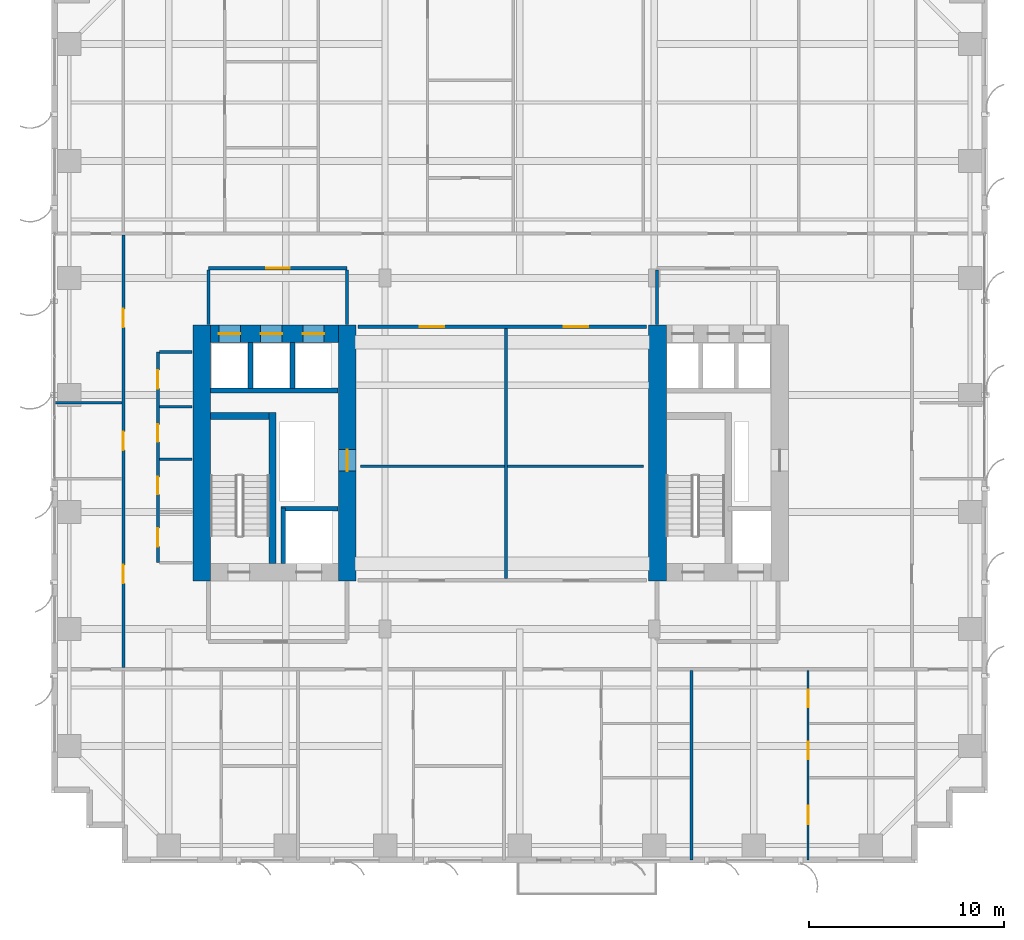
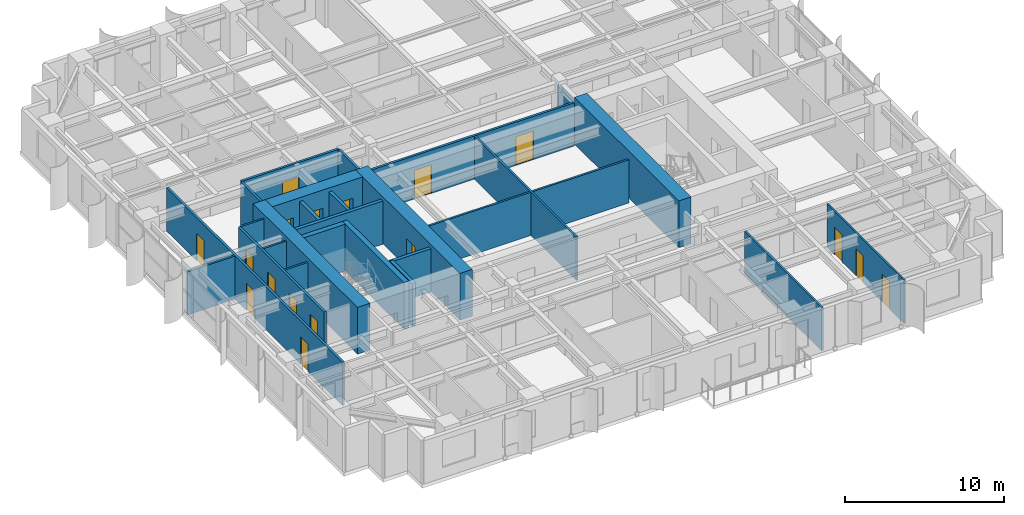
# One storey, part 10 of 17: 26 walls, 17 doors, 17 openings.
"""IFC4 building model written with IfcOpenShell, lengths in metres."""

from ifc_helpers import new_model, si_unit, direction, frame, frame_2d, origin, place, context, subcontext, project, spatial, rectangle, extrude, source, transform, mapped, material, layer, layer_set, type_object, element, fill, save


model = new_model("IFC4")

# Units and contexts
model_context = context("Model", 3, precision=1e-05, world=origin(), true_north=direction((0.0, 1.0)))
body_context = subcontext(model_context, "Body", "Model", "MODEL_VIEW")
ifc_project = project(units=[si_unit("LENGTHUNIT", "METRE"), si_unit("AREAUNIT", "SQUARE_METRE"), si_unit("VOLUMEUNIT", "CUBIC_METRE"), si_unit("PLANEANGLEUNIT", "RADIAN"), si_unit("MASSUNIT", "GRAM", prefix="KILO")], contexts=[model_context])

# Site, building, storey
site_placement = place(None, origin())
site = spatial("IfcSite", under=ifc_project, at=site_placement, CompositionType="ELEMENT")
building_placement = place(site_placement, origin())
building = spatial("IfcBuilding", under=site, at=building_placement, Name="Khoralis Quay Care Tower", CompositionType="ELEMENT")
storey_placement = place(building_placement, frame((0.0, 0.0, 58.5)))
storey = spatial("IfcBuildingStorey", under=building, at=storey_placement, Name="L15", CompositionType="ELEMENT", Elevation=58.5)

# Wall
ifc_material_1 = material(Name="Concrete C80/95", Category="concrete")
ifc_layer_1 = layer(ifc_material_1, 0.89990234375)
ifc_layer_set_1 = layer_set([ifc_layer_1], Name="Concrete C80/95")
wall_type_1 = type_object("IfcWallType", Name="WL-CORE-900", PredefinedType="SHEAR", material=ifc_layer_set_1)
wall_1_placement = place(storey_placement, frame((7.699951171875, 14.449951171875, 0.0), z_axis=(0.0, 0.0, 1.0), x_axis=(0.0, 1.0, 0.0)))
element("IfcWall", 1, at=wall_1_placement, inside=storey, type_object=wall_type_1, Name="L15 WCORE West Shear Wall", PredefinedType="SHEAR", context=body_context, shape_type="SweptSolid", body=[
    extrude(rectangle(XDim=13.150146484375, YDim=0.89990234375, at=frame_2d((6.5751953125, 0.0))), origin(), (0.0, 0.0, 1.0), 3.60009765625),
])

# Wall, opening, door
wall_2_placement = place(storey_placement, frame((15.14990234375, 14.449951171875, 0.0), z_axis=(0.0, 0.0, 1.0), x_axis=(0.0, 1.0, 0.0)))
wall_2 = element("IfcWall", 2, at=wall_2_placement, inside=storey, type_object=wall_type_1, Name="L15 WCORE East Shear Wall", PredefinedType="SHEAR", context=body_context, shape_type="SweptSolid", body=[
    extrude(rectangle(XDim=13.150146484375, YDim=0.89990234375, at=frame_2d((6.5751953125, 0.0))), origin(), (0.0, 0.0, 1.0), 3.60009765625),
])
opening_1_placement = place(wall_2_placement, frame((5.64990234375, 0.0, 0.0)))
opening_1 = element("IfcOpeningElement", 3, at=opening_1_placement, cuts=wall_2, Name="Opening SD1", PredefinedType="OPENING", context=body_context, shape_type="SweptSolid", body=[
    extrude(rectangle(XDim=1.10009765625, YDim=2.199951171875, at=frame_2d((0.550048828125, 1.10009765625))), frame((0.0, 0.4599609375, 0.0), z_axis=(0.0, -1.0, 0.0), x_axis=(1.0, 0.0, 0.0)), (0.0, 0.0, 1.0), 0.919921875),
])
ifc_material_2 = material(Name="Fire-rated painted steel", Category="steel")
door_type_1 = type_object("IfcDoorType", Name="DR-STAIR-1100X2200", OperationType="NOTDEFINED", PredefinedType="DOOR", material=ifc_material_2)
shared_shape_1 = source(origin(), body_context, "Body", "SweptSolid", [
    extrude(rectangle(XDim=1.10009765625, YDim=2.199951171875, at=frame_2d((0.550048828125, 1.10009765625))), frame((0.0, 0.02490234375, 0.0), z_axis=(0.0, -1.0, 0.0), x_axis=(1.0, 0.0, 0.0)), (0.0, 0.0, 1.0), 0.050048828125),
])
door_1_placement = place(opening_1_placement, origin())
door_1 = element("IfcDoor", 4, at=door_1_placement, inside=storey, type_object=door_type_1, Name="L15 West MEP Riser Door", OperationType="SINGLE_SWING_LEFT", OverallHeight=2.199951171875, OverallWidth=1.10009765625, PredefinedType="DOOR", context=body_context, shape_type="MappedRepresentation", body=[
    mapped(shared_shape_1, transform((0.0, 0.0, 0.0), scale=1.0)),
])
fill(opening_1, door_1)

# Wall, openings, doors
wall_3_placement = place(storey_placement, frame((8.14990234375, 27.14990234375, 0.0), z_axis=(0.0, 0.0, 1.0), x_axis=(1.0, 0.0, 0.0)))
wall_3 = element("IfcWall", 5, at=wall_3_placement, inside=storey, type_object=wall_type_1, Name="L15 WCORE North Shear Wall", PredefinedType="SHEAR", context=body_context, shape_type="SweptSolid", body=[
    extrude(rectangle(XDim=6.550048828125, YDim=0.89990234375, at=frame_2d((3.27490234375, 0.0))), origin(), (0.0, 0.0, 1.0), 3.60009765625),
])
opening_2_placement = place(wall_3_placement, frame((0.429931640625, 0.0, 0.0)))
opening_2 = element("IfcOpeningElement", 6, at=opening_2_placement, cuts=wall_3, Name="Opening LD1", PredefinedType="OPENING", context=body_context, shape_type="SweptSolid", body=[
    extrude(rectangle(XDim=1.10009765625, YDim=2.199951171875, at=frame_2d((0.550048828125, 1.10009765625))), frame((0.0, 0.4599609375, 0.0), z_axis=(0.0, -1.0, 0.0), x_axis=(1.0, 0.0, 0.0)), (0.0, 0.0, 1.0), 0.919921875),
])
opening_3_placement = place(wall_3_placement, frame((2.570068359375, 0.0, 0.0)))
opening_3 = element("IfcOpeningElement", 7, at=opening_3_placement, cuts=wall_3, Name="Opening LD1", PredefinedType="OPENING", context=body_context, shape_type="SweptSolid", body=[
    extrude(rectangle(XDim=1.10009765625, YDim=2.199951171875, at=frame_2d((0.550048828125, 1.10009765625))), frame((0.0, 0.4599609375, 0.0), z_axis=(0.0, -1.0, 0.0), x_axis=(1.0, 0.0, 0.0)), (0.0, 0.0, 1.0), 0.919921875),
])
opening_4_placement = place(wall_3_placement, frame((4.72998046875, 0.0, 0.0)))
opening_4 = element("IfcOpeningElement", 8, at=opening_4_placement, cuts=wall_3, Name="Opening LD1", PredefinedType="OPENING", context=body_context, shape_type="SweptSolid", body=[
    extrude(rectangle(XDim=1.10009765625, YDim=2.199951171875, at=frame_2d((0.550048828125, 1.10009765625))), frame((0.0, 0.4599609375, 0.0), z_axis=(0.0, -1.0, 0.0), x_axis=(1.0, 0.0, 0.0)), (0.0, 0.0, 1.0), 0.919921875),
])
ifc_material_3 = material(Name="Brushed stainless steel", Category="steel")
door_type_2 = type_object("IfcDoorType", Name="DR-LIFT-1100X2200", OperationType="SLIDING_TO_LEFT", PredefinedType="DOOR", material=ifc_material_3)
shared_shape_2 = source(origin(), body_context, "Body", "SweptSolid", [
    extrude(rectangle(XDim=1.10009765625, YDim=2.199951171875, at=frame_2d((0.550048828125, 1.10009765625))), frame((0.0, 0.02490234375, 0.0), z_axis=(0.0, -1.0, 0.0), x_axis=(1.0, 0.0, 0.0)), (0.0, 0.0, 1.0), 0.050048828125),
])
door_2_placement = place(opening_2_placement, origin())
door_2 = element("IfcDoor", 9, at=door_2_placement, inside=storey, type_object=door_type_2, Name="L15 Lift PLL1 Landing Door", OperationType="SLIDING_TO_LEFT", OverallHeight=2.199951171875, OverallWidth=1.10009765625, PredefinedType="DOOR", context=body_context, shape_type="MappedRepresentation", body=[
    mapped(shared_shape_2, transform((0.0, 0.0, 0.0), scale=1.0)),
])
fill(opening_2, door_2)
door_3_placement = place(opening_3_placement, origin())
door_3 = element("IfcDoor", 10, at=door_3_placement, inside=storey, type_object=door_type_2, Name="L15 Lift PLM1 Landing Door", OperationType="SLIDING_TO_LEFT", OverallHeight=2.199951171875, OverallWidth=1.10009765625, PredefinedType="DOOR", context=body_context, shape_type="MappedRepresentation", body=[
    mapped(shared_shape_2, transform((0.0, 0.0, 0.0), scale=1.0)),
])
fill(opening_3, door_3)
door_4_placement = place(opening_4_placement, origin())
door_4 = element("IfcDoor", 11, at=door_4_placement, inside=storey, type_object=door_type_2, Name="L15 Lift PLH1 Landing Door", OperationType="SLIDING_TO_LEFT", OverallHeight=2.199951171875, OverallWidth=1.10009765625, PredefinedType="DOOR", context=body_context, shape_type="MappedRepresentation", body=[
    mapped(shared_shape_2, transform((0.0, 0.0, 0.0), scale=1.0)),
])
fill(opening_4, door_4)

# Wall
wall_4_placement = place(storey_placement, frame((31.070068359375, 14.449951171875, 0.0), z_axis=(0.0, 0.0, 1.0), x_axis=(0.0, 1.0, 0.0)))
element("IfcWall", 12, at=wall_4_placement, inside=storey, type_object=wall_type_1, Name="L15 ECORE West Shear Wall", PredefinedType="SHEAR", context=body_context, shape_type="SweptSolid", body=[
    extrude(rectangle(XDim=13.150146484375, YDim=0.89990234375, at=frame_2d((6.5751953125, 0.0))), origin(), (0.0, 0.0, 1.0), 3.60009765625),
])

# Wall, opening, door
ifc_material_4 = material(Name="Gypsum plasterboard on acoustic metal stud")
ifc_layer_2 = layer(ifc_material_4, 0.1650390625)
ifc_layer_set_2 = layer_set([ifc_layer_2], Name="Gypsum plasterboard on acoustic metal stud")
wall_type_2 = type_object("IfcWallType", Name="WL-CORR-165", PredefinedType="PARTITIONING", material=ifc_layer_set_2)
wall_5_placement = place(storey_placement, frame((8.050048828125, 30.5, 0.0), z_axis=(0.0, 0.0, 1.0), x_axis=(1.0, 0.0, 0.0)))
wall_5 = element("IfcWall", 13, at=wall_5_placement, inside=storey, type_object=wall_type_2, Name="L15 West Lift Lobby North Wall", PredefinedType="PARTITIONING", context=body_context, shape_type="SweptSolid", body=[
    extrude(rectangle(XDim=7.099853515625, YDim=0.1650390625, at=frame_2d((3.5498046875, 0.0))), origin(), (0.0, 0.0, 1.0), 3.320068359375),
])
opening_5_placement = place(wall_5_placement, frame((2.949951171875, 0.0, 0.0)))
opening_5 = element("IfcOpeningElement", 14, at=opening_5_placement, cuts=wall_5, Name="Opening FD1", PredefinedType="OPENING", context=body_context, shape_type="SweptSolid", body=[
    extrude(rectangle(XDim=1.199951171875, YDim=2.199951171875, at=frame_2d((0.60009765625, 1.10009765625))), frame((0.0, 0.092529296875, 0.0), z_axis=(0.0, -1.0, 0.0), x_axis=(1.0, 0.0, 0.0)), (0.0, 0.0, 1.0), 0.18505859375),
])
door_type_3 = type_object("IfcDoorType", Name="DR-FFL-1200X2200", OperationType="NOTDEFINED", PredefinedType="DOOR", material=ifc_material_2)
shared_shape_3 = source(origin(), body_context, "Body", "SweptSolid", [
    extrude(rectangle(XDim=1.199951171875, YDim=2.199951171875, at=frame_2d((0.60009765625, 1.10009765625))), frame((0.0, 0.02490234375, 0.0), z_axis=(0.0, -1.0, 0.0), x_axis=(1.0, 0.0, 0.0)), (0.0, 0.0, 1.0), 0.050048828125),
])
door_5_placement = place(opening_5_placement, origin())
door_5 = element("IfcDoor", 15, at=door_5_placement, inside=storey, type_object=door_type_3, Name="L15 West Lift Lobby Double Door", OperationType="DOUBLE_DOOR_SINGLE_SWING", OverallHeight=2.199951171875, OverallWidth=1.199951171875, PredefinedType="DOOR", context=body_context, shape_type="MappedRepresentation", body=[
    mapped(shared_shape_3, transform((0.0, 0.0, 0.0), scale=1.0)),
])
fill(opening_5, door_5)

# Walls
for number, where, z_axis, x_axis, name in (
    (16, (8.050048828125, 27.6201171875, 0.0), (0.0, 0.0, 1.0), (0.0, 1.0, 0.0), "L15 West Lift Lobby West Wall"),
    (17, (15.14990234375, 27.6201171875, 0.0), (0.0, 0.0, 1.0), (0.0, 1.0, 0.0), "L15 West Lift Lobby East Wall"),
):
    element("IfcWall", number, at=place(storey_placement, frame(where, z_axis=z_axis, x_axis=x_axis)), inside=storey, type_object=wall_type_2, Name=name, PredefinedType="PARTITIONING", context=body_context, shape_type="SweptSolid", body=[
        extrude(rectangle(XDim=2.802490234375, YDim=0.1650390625, at=frame_2d((1.4013671875, 0.0))), origin(), (0.0, 0.0, 1.0), 3.320068359375),
    ])
wall_6_placement = place(storey_placement, frame((31.050048828125, 27.6201171875, 0.0), z_axis=(0.0, 0.0, 1.0), x_axis=(0.0, 1.0, 0.0)))
element("IfcWall", 18, at=wall_6_placement, inside=storey, type_object=wall_type_2, Name="L15 East Lift Lobby West Wall", PredefinedType="PARTITIONING", context=body_context, shape_type="SweptSolid", body=[
    extrude(rectangle(XDim=2.802490234375, YDim=0.1650390625, at=frame_2d((1.4013671875, 0.0))), origin(), (0.0, 0.0, 1.0), 2.7041015625),
])

# Wall, openings, doors
wall_7_placement = place(storey_placement, frame((5.449951171875, 15.39990234375, 0.0), z_axis=(0.0, 0.0, 1.0), x_axis=(0.0, 1.0, 0.0)))
wall_7 = element("IfcWall", 19, at=wall_7_placement, inside=storey, type_object=wall_type_2, Name="L15 West Core Service Flank Wall", PredefinedType="PARTITIONING", context=body_context, shape_type="SweptSolid", body=[
    extrude(rectangle(XDim=10.800048828125, YDim=0.1650390625, at=frame_2d((5.39990234375, 0.0))), origin(), (0.0, 0.0, 1.0), 3.320068359375),
])
opening_6_placement = place(wall_7_placement, frame((0.824951171875, 0.0, 0.0)))
opening_6 = element("IfcOpeningElement", 20, at=opening_6_placement, cuts=wall_7, Name="Opening ID1", PredefinedType="OPENING", context=body_context, shape_type="SweptSolid", body=[
    extrude(rectangle(XDim=0.949951171875, YDim=2.10009765625, at=frame_2d((0.47509765625, 1.050048828125))), frame((0.0, 0.092529296875, 0.0), z_axis=(0.0, -1.0, 0.0), x_axis=(1.0, 0.0, 0.0)), (0.0, 0.0, 1.0), 0.18505859375),
])
opening_7_placement = place(wall_7_placement, frame((3.5, 0.0, 0.0)))
opening_7 = element("IfcOpeningElement", 21, at=opening_7_placement, cuts=wall_7, Name="Opening WD1", PredefinedType="OPENING", context=body_context, shape_type="SweptSolid", body=[
    extrude(rectangle(XDim=0.89990234375, YDim=2.10009765625, at=frame_2d((0.449951171875, 1.050048828125))), frame((0.0, 0.092529296875, 0.0), z_axis=(0.0, -1.0, 0.0), x_axis=(1.0, 0.0, 0.0)), (0.0, 0.0, 1.0), 0.18505859375),
])
opening_8_placement = place(wall_7_placement, frame((6.199951171875, 0.0, 0.0)))
opening_8 = element("IfcOpeningElement", 22, at=opening_8_placement, cuts=wall_7, Name="Opening WD1", PredefinedType="OPENING", context=body_context, shape_type="SweptSolid", body=[
    extrude(rectangle(XDim=0.89990234375, YDim=2.10009765625, at=frame_2d((0.449951171875, 1.050048828125))), frame((0.0, 0.092529296875, 0.0), z_axis=(0.0, -1.0, 0.0), x_axis=(1.0, 0.0, 0.0)), (0.0, 0.0, 1.0), 0.18505859375),
])
opening_9_placement = place(wall_7_placement, frame((8.925048828125, 0.0, 0.0)))
opening_9 = element("IfcOpeningElement", 23, at=opening_9_placement, cuts=wall_7, Name="Opening ID1", PredefinedType="OPENING", context=body_context, shape_type="SweptSolid", body=[
    extrude(rectangle(XDim=0.949951171875, YDim=2.10009765625, at=frame_2d((0.47509765625, 1.050048828125))), frame((0.0, 0.092529296875, 0.0), z_axis=(0.0, -1.0, 0.0), x_axis=(1.0, 0.0, 0.0)), (0.0, 0.0, 1.0), 0.18505859375),
])
ifc_material_5 = material(Name="Acoustic hardwood timber", Category="wood")
door_type_4 = type_object("IfcDoorType", Name="DR-BATH-900X2100", OperationType="NOTDEFINED", PredefinedType="DOOR", material=ifc_material_5)
shared_shape_4 = source(origin(), body_context, "Body", "SweptSolid", [
    extrude(rectangle(XDim=0.89990234375, YDim=2.10009765625, at=frame_2d((0.449951171875, 1.050048828125))), frame((0.0, 0.02490234375, 0.0), z_axis=(0.0, -1.0, 0.0), x_axis=(1.0, 0.0, 0.0)), (0.0, 0.0, 1.0), 0.050048828125),
])
door_6_placement = place(opening_7_placement, frame((0.89990234375, 0.0, 0.0), z_axis=(0.0, 0.0, 1.0), x_axis=(-1.0, 0.0, 0.0)))
door_6 = element("IfcDoor", 24, at=door_6_placement, inside=storey, type_object=door_type_4, Name="L15 Public Accessible WC Door", OperationType="SINGLE_SWING_LEFT", OverallHeight=2.10009765625, OverallWidth=0.89990234375, PredefinedType="DOOR", context=body_context, shape_type="MappedRepresentation", body=[
    mapped(shared_shape_4, transform((0.0, 0.0, 0.0), scale=1.0)),
])
fill(opening_7, door_6)
door_7_placement = place(opening_8_placement, frame((0.89990234375, 0.0, 0.0), z_axis=(0.0, 0.0, 1.0), x_axis=(-1.0, 0.0, 0.0)))
door_7 = element("IfcDoor", 25, at=door_7_placement, inside=storey, type_object=door_type_4, Name="L15 Staff Accessible WC Door", OperationType="SINGLE_SWING_RIGHT", OverallHeight=2.10009765625, OverallWidth=0.89990234375, PredefinedType="DOOR", context=body_context, shape_type="MappedRepresentation", body=[
    mapped(shared_shape_4, transform((0.0, 0.0, 0.0), scale=1.0)),
])
fill(opening_8, door_7)
door_type_5 = type_object("IfcDoorType", Name="DR-ROOM-950X2100", OperationType="NOTDEFINED", PredefinedType="DOOR", material=ifc_material_5)
shared_shape_5 = source(origin(), body_context, "Body", "SweptSolid", [
    extrude(rectangle(XDim=0.949951171875, YDim=2.10009765625, at=frame_2d((0.47509765625, 1.050048828125))), frame((0.0, 0.02490234375, 0.0), z_axis=(0.0, -1.0, 0.0), x_axis=(1.0, 0.0, 0.0)), (0.0, 0.0, 1.0), 0.050048828125),
])
door_8_placement = place(opening_6_placement, frame((0.949951171875, 0.0, 0.0), z_axis=(0.0, 0.0, 1.0), x_axis=(-1.0, 0.0, 0.0)))
door_8 = element("IfcDoor", 26, at=door_8_placement, inside=storey, type_object=door_type_5, Name="L15 Housekeeping Store Door", OperationType="SINGLE_SWING_RIGHT", OverallHeight=2.10009765625, OverallWidth=0.949951171875, PredefinedType="DOOR", context=body_context, shape_type="MappedRepresentation", body=[
    mapped(shared_shape_5, transform((0.0, 0.0, 0.0), scale=1.0)),
])
fill(opening_6, door_8)
door_9_placement = place(opening_9_placement, frame((0.949951171875, 0.0, 0.0), z_axis=(0.0, 0.0, 1.0), x_axis=(-1.0, 0.0, 0.0)))
door_9 = element("IfcDoor", 27, at=door_9_placement, inside=storey, type_object=door_type_5, Name="L15 Telecom IDF Room Door", OperationType="SINGLE_SWING_LEFT", OverallHeight=2.10009765625, OverallWidth=0.949951171875, PredefinedType="DOOR", context=body_context, shape_type="MappedRepresentation", body=[
    mapped(shared_shape_5, transform((0.0, 0.0, 0.0), scale=1.0)),
])
fill(opening_9, door_9)

wall_8_placement = place(storey_placement, frame((3.679931640625, 10.017578125, 0.0), z_axis=(0.0, 0.0, 1.0), x_axis=(0.0, 1.0, 0.0)))
wall_8 = element("IfcWall", 28, at=wall_8_placement, inside=storey, type_object=wall_type_2, Name="L15 West Loop Corridor Wall", PredefinedType="PARTITIONING", context=body_context, shape_type="SweptSolid", body=[
    extrude(rectangle(XDim=22.184814453125, YDim=0.1650390625, at=frame_2d((11.09228515625, 0.0))), origin(), (0.0, 0.0, 1.0), 3.320068359375),
])
opening_10_placement = place(wall_8_placement, frame((4.327392578125, 0.0, 0.0)))
opening_10 = element("IfcOpeningElement", 29, at=opening_10_placement, cuts=wall_8, Name="Opening ID1", PredefinedType="OPENING", context=body_context, shape_type="SweptSolid", body=[
    extrude(rectangle(XDim=0.949951171875, YDim=2.10009765625, at=frame_2d((0.47509765625, 1.050048828125))), frame((0.0, 0.092529296875, 0.0), z_axis=(0.0, -1.0, 0.0), x_axis=(1.0, 0.0, 0.0)), (0.0, 0.0, 1.0), 0.18505859375),
])
opening_11_placement = place(wall_8_placement, frame((11.157470703125, 0.0, 0.0)))
opening_11 = element("IfcOpeningElement", 30, at=opening_11_placement, cuts=wall_8, Name="Opening ID1", PredefinedType="OPENING", context=body_context, shape_type="SweptSolid", body=[
    extrude(rectangle(XDim=0.949951171875, YDim=2.10009765625, at=frame_2d((0.47509765625, 1.050048828125))), frame((0.0, 0.092529296875, 0.0), z_axis=(0.0, -1.0, 0.0), x_axis=(1.0, 0.0, 0.0)), (0.0, 0.0, 1.0), 0.18505859375),
])
opening_12_placement = place(wall_8_placement, frame((17.447509765625, 0.0, 0.0)))
opening_12 = element("IfcOpeningElement", 31, at=opening_12_placement, cuts=wall_8, Name="Opening ID1", PredefinedType="OPENING", context=body_context, shape_type="SweptSolid", body=[
    extrude(rectangle(XDim=0.949951171875, YDim=2.10009765625, at=frame_2d((0.47509765625, 1.050048828125))), frame((0.0, 0.092529296875, 0.0), z_axis=(0.0, -1.0, 0.0), x_axis=(1.0, 0.0, 0.0)), (0.0, 0.0, 1.0), 0.18505859375),
])
door_10_placement = place(opening_10_placement, origin())
door_10 = element("IfcDoor", 32, at=door_10_placement, inside=storey, type_object=door_type_5, Name="L15 Therapy Consultation Room Door", OperationType="SINGLE_SWING_LEFT", OverallHeight=2.10009765625, OverallWidth=0.949951171875, PredefinedType="DOOR", context=body_context, shape_type="MappedRepresentation", body=[
    mapped(shared_shape_5, transform((0.0, 0.0, 0.0), scale=1.0)),
])
fill(opening_10, door_10)
door_11_placement = place(opening_11_placement, origin())
door_11 = element("IfcDoor", 33, at=door_11_placement, inside=storey, type_object=door_type_5, Name="L15 Assisted Activity Lounge Door", OperationType="SINGLE_SWING_RIGHT", OverallHeight=2.10009765625, OverallWidth=0.949951171875, PredefinedType="DOOR", context=body_context, shape_type="MappedRepresentation", body=[
    mapped(shared_shape_5, transform((0.0, 0.0, 0.0), scale=1.0)),
])
fill(opening_11, door_11)
door_12_placement = place(opening_12_placement, origin())
door_12 = element("IfcDoor", 34, at=door_12_placement, inside=storey, type_object=door_type_5, Name="L15 Nurse Charting Office Door", OperationType="SINGLE_SWING_LEFT", OverallHeight=2.10009765625, OverallWidth=0.949951171875, PredefinedType="DOOR", context=body_context, shape_type="MappedRepresentation", body=[
    mapped(shared_shape_5, transform((0.0, 0.0, 0.0), scale=1.0)),
])
fill(opening_12, door_12)

wall_9_placement = place(storey_placement, frame((15.699951171875, 27.5, 0.0), z_axis=(0.0, 0.0, 1.0), x_axis=(1.0, 0.0, 0.0)))
wall_9 = element("IfcWall", 35, at=wall_9_placement, inside=storey, type_object=wall_type_2, Name="L15 Central Clinical North Wall", PredefinedType="PARTITIONING", context=body_context, shape_type="SweptSolid", body=[
    extrude(rectangle(XDim=14.800048828125, YDim=0.1650390625, at=frame_2d((7.39990234375, 0.0))), origin(), (0.0, 0.0, 1.0), 3.320068359375),
])
opening_13_placement = place(wall_9_placement, frame((3.175048828125, 0.0, 0.0)))
opening_13 = element("IfcOpeningElement", 36, at=opening_13_placement, cuts=wall_9, Name="Opening CD1", PredefinedType="OPENING", context=body_context, shape_type="SweptSolid", body=[
    extrude(rectangle(XDim=1.25, YDim=2.199951171875, at=frame_2d((0.625, 1.10009765625))), frame((0.0, 0.092529296875, 0.0), z_axis=(0.0, -1.0, 0.0), x_axis=(1.0, 0.0, 0.0)), (0.0, 0.0, 1.0), 0.18505859375),
])
opening_14_placement = place(wall_9_placement, frame((10.574951171875, 0.0, 0.0)))
opening_14 = element("IfcOpeningElement", 37, at=opening_14_placement, cuts=wall_9, Name="Opening CD1", PredefinedType="OPENING", context=body_context, shape_type="SweptSolid", body=[
    extrude(rectangle(XDim=1.25, YDim=2.199951171875, at=frame_2d((0.625, 1.10009765625))), frame((0.0, 0.092529296875, 0.0), z_axis=(0.0, -1.0, 0.0), x_axis=(1.0, 0.0, 0.0)), (0.0, 0.0, 1.0), 0.18505859375),
])
door_type_6 = type_object("IfcDoorType", Name="DR-CARE-1250X2200", OperationType="NOTDEFINED", PredefinedType="DOOR", material=ifc_material_5)
shared_shape_6 = source(origin(), body_context, "Body", "SweptSolid", [
    extrude(rectangle(XDim=1.25, YDim=2.199951171875, at=frame_2d((0.625, 1.10009765625))), frame((0.0, 0.02490234375, 0.0), z_axis=(0.0, -1.0, 0.0), x_axis=(1.0, 0.0, 0.0)), (0.0, 0.0, 1.0), 0.050048828125),
])
door_13_placement = place(opening_13_placement, frame((1.25, 0.0, 0.0), z_axis=(0.0, 0.0, 1.0), x_axis=(-1.0, 0.0, 0.0)))
door_13 = element("IfcDoor", 38, at=door_13_placement, inside=storey, type_object=door_type_6, Name="L15 Library Lounge Door", OperationType="SINGLE_SWING_LEFT", OverallHeight=2.199951171875, OverallWidth=1.25, PredefinedType="DOOR", context=body_context, shape_type="MappedRepresentation", body=[
    mapped(shared_shape_6, transform((0.0, 0.0, 0.0), scale=1.0)),
])
fill(opening_13, door_13)
door_14_placement = place(opening_14_placement, frame((1.25, 0.0, 0.0), z_axis=(0.0, 0.0, 1.0), x_axis=(-1.0, 0.0, 0.0)))
door_14 = element("IfcDoor", 39, at=door_14_placement, inside=storey, type_object=door_type_6, Name="L15 Occupational Therapy Door", OperationType="SINGLE_SWING_RIGHT", OverallHeight=2.199951171875, OverallWidth=1.25, PredefinedType="DOOR", context=body_context, shape_type="MappedRepresentation", body=[
    mapped(shared_shape_6, transform((0.0, 0.0, 0.0), scale=1.0)),
])
fill(opening_14, door_14)

ifc_layer_3 = layer(ifc_material_4, 0.114990234375)
ifc_layer_set_3 = layer_set([ifc_layer_3], Name="Gypsum plasterboard on acoustic metal stud")
wall_type_3 = type_object("IfcWallType", Name="WL-PART-115", PredefinedType="PARTITIONING", material=ifc_layer_set_3)
wall_10_placement = place(storey_placement, frame((38.794921875, 0.14501953125, 0.0), z_axis=(0.0, 0.0, 1.0), x_axis=(0.0, 1.0, 0.0)))
wall_10 = element("IfcWall", 40, at=wall_10_placement, inside=storey, type_object=wall_type_3, Name="L15 Unit 3 Internal Wall", PredefinedType="PARTITIONING", context=body_context, shape_type="SweptSolid", body=[
    extrude(rectangle(XDim=9.717529296875, YDim=0.114990234375, at=frame_2d((4.85888671875, 0.0))), origin(), (0.0, 0.0, 1.0), 3.320068359375),
])
opening_15_placement = place(wall_10_placement, frame((1.842041015625, 0.0, 0.0)))
opening_15 = element("IfcOpeningElement", 41, at=opening_15_placement, cuts=wall_10, Name="Opening ID1", PredefinedType="OPENING", context=body_context, shape_type="SweptSolid", body=[
    extrude(rectangle(XDim=0.949951171875, YDim=2.10009765625, at=frame_2d((0.47509765625, 1.050048828125))), frame((0.0, 0.0673828125, 0.0), z_axis=(0.0, -1.0, 0.0), x_axis=(1.0, 0.0, 0.0)), (0.0, 0.0, 1.0), 0.135009765625),
])
opening_16_placement = place(wall_10_placement, frame((5.17041015625, 0.0, 0.0)))
opening_16 = element("IfcOpeningElement", 42, at=opening_16_placement, cuts=wall_10, Name="Opening WD1", PredefinedType="OPENING", context=body_context, shape_type="SweptSolid", body=[
    extrude(rectangle(XDim=0.89990234375, YDim=2.10009765625, at=frame_2d((0.449951171875, 1.050048828125))), frame((0.0, 0.0673828125, 0.0), z_axis=(0.0, -1.0, 0.0), x_axis=(1.0, 0.0, 0.0)), (0.0, 0.0, 1.0), 0.135009765625),
])
opening_17_placement = place(wall_10_placement, frame((7.83837890625, 0.0, 0.0)))
opening_17 = element("IfcOpeningElement", 43, at=opening_17_placement, cuts=wall_10, Name="Opening WD1", PredefinedType="OPENING", context=body_context, shape_type="SweptSolid", body=[
    extrude(rectangle(XDim=0.89990234375, YDim=2.10009765625, at=frame_2d((0.449951171875, 1.050048828125))), frame((0.0, 0.0673828125, 0.0), z_axis=(0.0, -1.0, 0.0), x_axis=(1.0, 0.0, 0.0)), (0.0, 0.0, 1.0), 0.135009765625),
])
door_15_placement = place(opening_16_placement, frame((0.89990234375, 0.0, 0.0), z_axis=(0.0, 0.0, 1.0), x_axis=(-1.0, 0.0, 0.0)))
door_15 = element("IfcDoor", 44, at=door_15_placement, inside=storey, type_object=door_type_4, Name="L15 Apartment SB3 KIT Door", OperationType="SINGLE_SWING_RIGHT", OverallHeight=2.10009765625, OverallWidth=0.89990234375, PredefinedType="DOOR", context=body_context, shape_type="MappedRepresentation", body=[
    mapped(shared_shape_4, transform((0.0, 0.0, 0.0), scale=1.0)),
])
fill(opening_16, door_15)
door_16_placement = place(opening_17_placement, frame((0.89990234375, 0.0, 0.0), z_axis=(0.0, 0.0, 1.0), x_axis=(-1.0, 0.0, 0.0)))
door_16 = element("IfcDoor", 45, at=door_16_placement, inside=storey, type_object=door_type_4, Name="L15 Apartment SB3 BTH Door", OperationType="SINGLE_SWING_LEFT", OverallHeight=2.10009765625, OverallWidth=0.89990234375, PredefinedType="DOOR", context=body_context, shape_type="MappedRepresentation", body=[
    mapped(shared_shape_4, transform((0.0, 0.0, 0.0), scale=1.0)),
])
fill(opening_17, door_16)
door_17_placement = place(opening_15_placement, frame((0.949951171875, 0.0, 0.0), z_axis=(0.0, 0.0, 1.0), x_axis=(-1.0, 0.0, 0.0)))
door_17 = element("IfcDoor", 46, at=door_17_placement, inside=storey, type_object=door_type_5, Name="L15 Apartment SB3 BED Door", OperationType="SINGLE_SWING_LEFT", OverallHeight=2.10009765625, OverallWidth=0.949951171875, PredefinedType="DOOR", context=body_context, shape_type="MappedRepresentation", body=[
    mapped(shared_shape_5, transform((0.0, 0.0, 0.0), scale=1.0)),
])
fill(opening_15, door_17)

# Walls
ifc_material_6 = material(Name="Moisture-resistant gypsum and ceramic tile")
ifc_layer_4 = layer(ifc_material_6, 0.280029296875)
ifc_layer_set_4 = layer_set([ifc_layer_4], Name="Moisture-resistant gypsum and ceramic tile")
wall_type_4 = type_object("IfcWallType", Name="WL-PLUMB-280", PredefinedType="PLUMBINGWALL", material=ifc_layer_set_4)
wall_11_placement = place(storey_placement, frame((5.527587890625, 20.699951171875, 0.0), z_axis=(0.0, 0.0, 1.0), x_axis=(1.0, 0.0, 0.0)))
element("IfcWall", 47, at=wall_11_placement, inside=storey, type_object=wall_type_4, Name="L15 West Flank Divider 2", PredefinedType="PLUMBINGWALL", context=body_context, shape_type="SweptSolid", body=[
    extrude(rectangle(XDim=1.682373046875, YDim=0.139892578125, at=frame_2d((0.84130859375, 0.0))), origin(), (0.0, 0.0, 1.0), 3.320068359375),
])
ifc_material_7 = material(Name="Concrete C40/50", Category="concrete")
ifc_layer_5 = layer(ifc_material_7, 0.35009765625)
ifc_layer_set_5 = layer_set([ifc_layer_5], Name="Concrete C40/50")
wall_type_5 = type_object("IfcWallType", Name="WL-SC-CORE-350", PredefinedType="SHEAR", material=ifc_layer_set_5)
wall_12_placement = place(storey_placement, frame((11.324951171875, 15.35009765625, 0.0), z_axis=(0.0, 0.0, 1.0), x_axis=(0.0, 1.0, 0.0)))
element("IfcWall", 48, at=wall_12_placement, inside=storey, type_object=wall_type_5, Name="L15 Stair ST-T1 Shear Baffle Wall East", PredefinedType="SHEAR", context=body_context, shape_type="SweptSolid", body=[
    extrude(rectangle(XDim=7.75, YDim=0.35009765625, at=frame_2d((3.875, 0.0))), origin(), (0.0, 0.0, 1.0), 3.60009765625),
])
wall_13_placement = place(storey_placement, frame((8.14990234375, 22.925048828125, 0.0), z_axis=(0.0, 0.0, 1.0), x_axis=(1.0, 0.0, 0.0)))
element("IfcWall", 49, at=wall_13_placement, inside=storey, type_object=wall_type_5, Name="L15 Stair ST-T1 Shear Baffle Wall North", PredefinedType="SHEAR", context=body_context, shape_type="SweptSolid", body=[
    extrude(rectangle(XDim=3.0, YDim=0.35009765625, at=frame_2d((1.5, 0.0))), origin(), (0.0, 0.0, 1.0), 3.60009765625),
])
ifc_layer_6 = layer(ifc_material_4, 0.239990234375)
ifc_layer_set_6 = layer_set([ifc_layer_6], Name="Gypsum plasterboard on acoustic metal stud")
wall_type_6 = type_object("IfcWallType", Name="WL-SHAFT-240", PredefinedType="PARTITIONING", material=ifc_layer_set_6)
wall_14_placement = place(storey_placement, frame((11.8798828125, 15.35009765625, 0.0), z_axis=(0.0, 0.0, 1.0), x_axis=(0.0, 1.0, 0.0)))
element("IfcWall", 50, at=wall_14_placement, inside=storey, type_object=wall_type_6, Name="L15 FFL-1 Shaft Wall West", PredefinedType="PARTITIONING", context=body_context, shape_type="SweptSolid", body=[
    extrude(rectangle(XDim=2.849853515625, YDim=0.239990234375, at=frame_2d((1.4248046875, 0.0))), origin(), (0.0, 0.0, 1.0), 3.320068359375),
])
wall_15_placement = place(storey_placement, frame((11.760009765625, 18.169921875, 0.0), z_axis=(0.0, 0.0, 1.0), x_axis=(1.0, 0.0, 0.0)))
element("IfcWall", 51, at=wall_15_placement, inside=storey, type_object=wall_type_6, Name="L15 FFL-1 Shaft Wall North", PredefinedType="PARTITIONING", context=body_context, shape_type="SweptSolid", body=[
    extrude(rectangle(XDim=2.919921875, YDim=0.239990234375, at=frame_2d((1.4599609375, 0.0))), origin(), (0.0, 0.0, 1.0), 3.320068359375),
])
wall_16_placement = place(storey_placement, frame((8.14990234375, 24.22998046875, 0.0), z_axis=(0.0, 0.0, 1.0), x_axis=(1.0, 0.0, 0.0)))
element("IfcWall", 52, at=wall_16_placement, inside=storey, type_object=wall_type_6, Name="L15 West Passenger Shaft South Wall", PredefinedType="PARTITIONING", context=body_context, shape_type="SweptSolid", body=[
    extrude(rectangle(XDim=6.530029296875, YDim=0.239990234375, at=frame_2d((3.26513671875, 0.0))), origin(), (0.0, 0.0, 1.0), 3.320068359375),
])
for number, where, z_axis, x_axis, name in (
    (53, (10.199951171875, 24.344970703125, 0.0), (0.0, 0.0, 1.0), (0.0, 1.0, 0.0), "L15 West Shaft Divider 1"),
    (54, (12.35009765625, 24.344970703125, 0.0), (0.0, 0.0, 1.0), (0.0, 1.0, 0.0), "L15 West Shaft Divider 2"),
):
    element("IfcWall", number, at=place(storey_placement, frame(where, z_axis=z_axis, x_axis=x_axis)), inside=storey, type_object=wall_type_6, Name=name, PredefinedType="PARTITIONING", context=body_context, shape_type="SweptSolid", body=[
        extrude(rectangle(XDim=2.3349609375, YDim=0.239990234375, at=frame_2d((1.16748046875, 0.0))), origin(), (0.0, 0.0, 1.0), 3.320068359375),
    ])
ifc_layer_7 = layer(ifc_material_4, 0.139892578125)
ifc_layer_set_7 = layer_set([ifc_layer_7], Name="Gypsum plasterboard on acoustic metal stud")
wall_type_7 = type_object("IfcWallType", Name="WL-UNIT-140", PredefinedType="PARTITIONING", material=ifc_layer_set_7)
for number, where, z_axis, x_axis, name in (
    (55, (5.527587890625, 26.199951171875, 0.0), (0.0, 0.0, 1.0), (1.0, 0.0, 0.0), "L15 West Flank North Cap"),
    (56, (5.527587890625, 23.39990234375, 0.0), (0.0, 0.0, 1.0), (1.0, 0.0, 0.0), "L15 West Flank Divider 3"),
):
    element("IfcWall", number, at=place(storey_placement, frame(where, z_axis=z_axis, x_axis=x_axis)), inside=storey, type_object=wall_type_7, Name=name, PredefinedType="PARTITIONING", context=body_context, shape_type="SweptSolid", body=[
        extrude(rectangle(XDim=1.682373046875, YDim=0.139892578125, at=frame_2d((0.84130859375, 0.0))), origin(), (0.0, 0.0, 1.0), 3.320068359375),
    ])
wall_17_placement = place(storey_placement, frame((0.14501953125, 23.60009765625, 0.0), z_axis=(0.0, 0.0, 1.0), x_axis=(1.0, 0.0, 0.0)))
element("IfcWall", 57, at=wall_17_placement, inside=storey, type_object=wall_type_7, Name="L15 WW Divider 2", PredefinedType="PARTITIONING", context=body_context, shape_type="SweptSolid", body=[
    extrude(rectangle(XDim=3.45751953125, YDim=0.139892578125, at=frame_2d((1.728759765625, 0.0))), origin(), (0.0, 0.0, 1.0), 3.320068359375),
])
wall_18_placement = place(storey_placement, frame((23.300048828125, 14.577392578125, 0.0), z_axis=(0.0, 0.0, 1.0), x_axis=(0.0, 1.0, 0.0)))
element("IfcWall", 58, at=wall_18_placement, inside=storey, type_object=wall_type_7, Name="L15 Central Split V", PredefinedType="PARTITIONING", context=body_context, shape_type="SweptSolid", body=[
    extrude(rectangle(XDim=12.84521484375, YDim=0.139892578125, at=frame_2d((6.422607421875, 0.0))), origin(), (0.0, 0.0, 1.0), 3.320068359375),
])
wall_19_placement = place(storey_placement, frame((15.85009765625, 20.35009765625, 0.0), z_axis=(0.0, 0.0, 1.0), x_axis=(1.0, 0.0, 0.0)))
element("IfcWall", 59, at=wall_19_placement, inside=storey, type_object=wall_type_7, Name="L15 Central Split H", PredefinedType="PARTITIONING", context=body_context, shape_type="SweptSolid", body=[
    extrude(rectangle(XDim=14.5, YDim=0.139892578125, at=frame_2d((7.25, 0.0))), origin(), (0.0, 0.0, 1.0), 3.320068359375),
])
wall_20_placement = place(storey_placement, frame((32.81005859375, 0.14501953125, 0.0), z_axis=(0.0, 0.0, 1.0), x_axis=(0.0, 1.0, 0.0)))
element("IfcWall", 60, at=wall_20_placement, inside=storey, type_object=wall_type_7, Name="L15 SB Demising Wall 3", PredefinedType="PARTITIONING", context=body_context, shape_type="SweptSolid", body=[
    extrude(rectangle(XDim=9.717529296875, YDim=0.139892578125, at=frame_2d((4.85888671875, 0.0))), origin(), (0.0, 0.0, 1.0), 3.320068359375),
])

save(model, "model.ifc")
